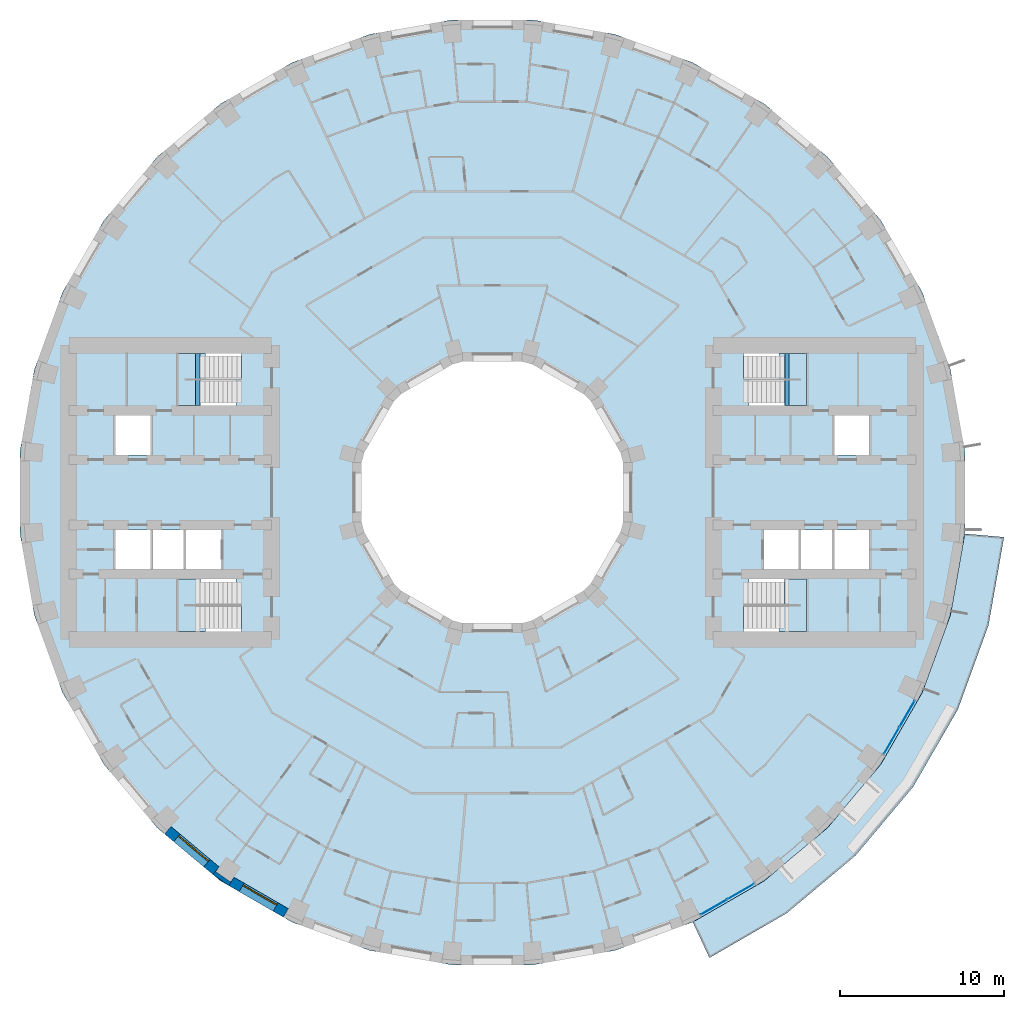
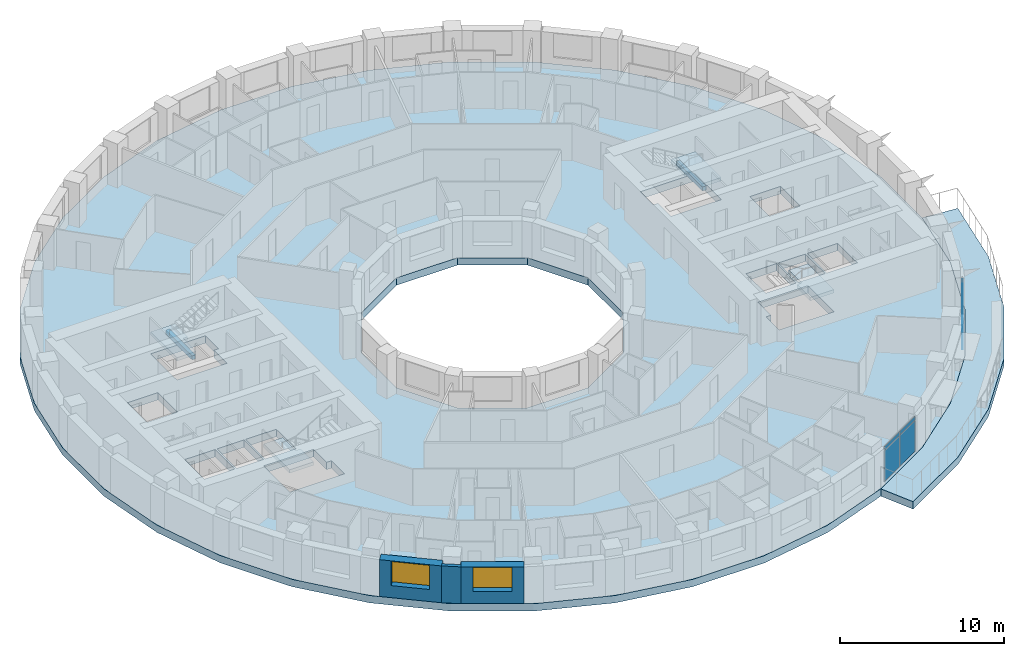
# One storey, part 3 of 15: 8 plates, 6 slabs, 3 walls, 2 beams, 2 windows, 2 openings, 6 elements without a shape of their own.
"""IFC4 building model written with IfcOpenShell, lengths in metres."""

from ifc_helpers import new_model, si_unit, direction, frame, frame_2d, origin, origin_2d, place, context, subcontext, project, spatial, polyline, rectangle, outline, extrude, material, layer, layer_set, material_profile, profile_set, type_object, element, fill, aggregate, save


model = new_model("IFC4")

# Units and contexts
model_context = context("Model", 3, precision=1e-05, world=origin(), true_north=direction((0.0, 1.0)))
body_context = subcontext(model_context, "Body", "Model", "MODEL_VIEW")
ifc_project = project(units=[si_unit("LENGTHUNIT", "METRE"), si_unit("AREAUNIT", "SQUARE_METRE"), si_unit("VOLUMEUNIT", "CUBIC_METRE"), si_unit("PLANEANGLEUNIT", "RADIAN"), si_unit("MASSUNIT", "GRAM", prefix="KILO")], contexts=[model_context])

# Site, building, storey
site_placement = place(None, origin())
site = spatial("IfcSite", under=ifc_project, at=site_placement, CompositionType="ELEMENT")
building_placement = place(site_placement, origin())
building = spatial("IfcBuilding", under=site, at=building_placement, Name="Saqina Gate Tower", CompositionType="ELEMENT")
storey_placement = place(building_placement, frame((0.0, 0.0, 42.800048828125)))
storey = spatial("IfcBuildingStorey", under=building, at=storey_placement, Name="L11", CompositionType="ELEMENT", Elevation=42.800048828125)

# Beams
ifc_material_1 = material(Name="Concrete C40/50", Category="concrete")
ifc_material_profile = material_profile(ifc_material_1, rectangle(XDim=0.25, YDim=0.300048828125, at=origin_2d()), Name="STAIR LANDING BEAM")
ifc_profile_set = profile_set([ifc_material_profile], Name="Concrete C40/50")
beam_type = type_object("IfcBeamType", Name="STAIR LANDING BEAM", PredefinedType="BEAM", material=ifc_profile_set)
for number, where, z_axis, x_axis, name in (
    (1, (18.02001953125, 5.300048828125, 1.25), (0.0, 1.0, 0.0), (-1.0, 0.0, 0.0), "EXIT STAIR 1 LANDING BEAM"),
    (2, (-18.02001953125, 5.300048828125, 1.25), (0.0, 1.0, 0.0), (-1.0, 0.0, 0.0), "EXIT STAIR 3 LANDING BEAM"),
):
    element("IfcBeam", number, at=place(storey_placement, frame(where, z_axis=z_axis, x_axis=x_axis)), inside=storey, type_object=beam_type, Name=name, PredefinedType="BEAM", context=body_context, shape_type="SweptSolid", body=[
        extrude(rectangle(XDim=0.25, YDim=0.300048828125, at=origin_2d()), origin(), (0.0, 0.0, 1.0), 3.199951171875),
    ])

# Curtain wall, plates
ifc_material_2 = material(Name="Aluminium glazing", Category="aluminium")
ifc_layer_1 = layer(ifc_material_2, 0.159912109375)
ifc_layer_set_1 = layer_set([ifc_layer_1], Name="CWT-4")
curtain_wall_type = type_object("IfcCurtainWallType", Name="CWT-4", PredefinedType="NOTDEFINED", material=ifc_layer_set_1)
curtain_wall_1_placement = place(storey_placement, origin())
curtain_wall_1 = element("IfcCurtainWall", 3, at=curtain_wall_1_placement, inside=storey, type_object=curtain_wall_type, Name="Terrace lounge glazing facet 30", PredefinedType="NOTDEFINED")
ifc_material_3 = material(Name="Glass", Category="glass")
ifc_layer_2 = layer(ifc_material_3, 0.028076171875)
ifc_layer_set_2 = layer_set([ifc_layer_2], Name="CWT-4P")
plate_type = type_object("IfcPlateType", Name="CWT-4P", PredefinedType="CURTAIN_PANEL", material=ifc_layer_set_2)
plate_1_placement = place(storey_placement, frame((13.550048828125, -25.362548828125, 0.059814453125), z_axis=(0.0, 0.0, 1.0), x_axis=(0.866027971624, 0.499995552346, 0.0)))
plate_1 = element("IfcPlate", 4, at=plate_1_placement, type_object=plate_type, Name="CW4-30 panel 1.1", PredefinedType="CURTAIN_PANEL", context=body_context, shape_type="SweptSolid", body=[
    extrude(rectangle(XDim=1.8330078125, YDim=0.028076171875, at=origin_2d()), origin(), (0.0, 0.0, 1.0), 2.31005859375),
])
plate_2_placement = place(storey_placement, frame((13.550048828125, -25.362548828125, 2.43017578125), z_axis=(0.0, 0.0, 1.0), x_axis=(0.866027971624, 0.499995552346, 0.0)))
plate_2 = element("IfcPlate", 5, at=plate_2_placement, type_object=plate_type, Name="CW4-30 panel 1.2", PredefinedType="CURTAIN_PANEL", context=body_context, shape_type="SweptSolid", body=[
    extrude(rectangle(XDim=1.8330078125, YDim=0.028076171875, at=origin_2d()), origin(), (0.0, 0.0, 1.0), 0.260009765625),
])
plate_3_placement = place(storey_placement, frame((15.189453125, -24.416015625, 0.059814453125), z_axis=(0.0, 0.0, 1.0), x_axis=(0.866027971624, 0.499995552346, 0.0)))
plate_3 = element("IfcPlate", 6, at=plate_3_placement, type_object=plate_type, Name="CW4-30 panel 2.1", PredefinedType="CURTAIN_PANEL", context=body_context, shape_type="SweptSolid", body=[
    extrude(rectangle(XDim=1.8330078125, YDim=0.028076171875, at=origin_2d()), origin(), (0.0, 0.0, 1.0), 2.31005859375),
])
plate_4_placement = place(storey_placement, frame((15.189453125, -24.416015625, 2.43017578125), z_axis=(0.0, 0.0, 1.0), x_axis=(0.866027971624, 0.499995552346, 0.0)))
plate_4 = element("IfcPlate", 7, at=plate_4_placement, type_object=plate_type, Name="CW4-30 panel 2.2", PredefinedType="CURTAIN_PANEL", context=body_context, shape_type="SweptSolid", body=[
    extrude(rectangle(XDim=1.8330078125, YDim=0.028076171875, at=origin_2d()), origin(), (0.0, 0.0, 1.0), 0.260009765625),
])
aggregate(curtain_wall_1, [plate_1, plate_2, plate_3, plate_4])

curtain_wall_2_placement = place(storey_placement, origin())
curtain_wall_2 = element("IfcCurtainWall", 8, at=curtain_wall_2_placement, inside=storey, type_object=curtain_wall_type, Name="Terrace lounge glazing facet 33", PredefinedType="NOTDEFINED")
plate_5_placement = place(storey_placement, frame((24.416015625, -15.189453125, 0.059814453125), z_axis=(0.0, 0.0, 1.0), x_axis=(0.499995552346, 0.866027971624, 0.0)))
plate_5 = element("IfcPlate", 9, at=plate_5_placement, type_object=plate_type, Name="CW4-33 panel 1.1", PredefinedType="CURTAIN_PANEL", context=body_context, shape_type="SweptSolid", body=[
    extrude(rectangle(XDim=1.8330078125, YDim=0.028076171875, at=origin_2d()), origin(), (0.0, 0.0, 1.0), 2.31005859375),
])
plate_6_placement = place(storey_placement, frame((24.416015625, -15.189453125, 2.43017578125), z_axis=(0.0, 0.0, 1.0), x_axis=(0.499995552346, 0.866027971624, 0.0)))
plate_6 = element("IfcPlate", 10, at=plate_6_placement, type_object=plate_type, Name="CW4-33 panel 1.2", PredefinedType="CURTAIN_PANEL", context=body_context, shape_type="SweptSolid", body=[
    extrude(rectangle(XDim=1.8330078125, YDim=0.028076171875, at=origin_2d()), origin(), (0.0, 0.0, 1.0), 0.260009765625),
])
plate_7_placement = place(storey_placement, frame((25.362548828125, -13.550048828125, 0.059814453125), z_axis=(0.0, 0.0, 1.0), x_axis=(0.499995552346, 0.866027971624, 0.0)))
plate_7 = element("IfcPlate", 11, at=plate_7_placement, type_object=plate_type, Name="CW4-33 panel 2.1", PredefinedType="CURTAIN_PANEL", context=body_context, shape_type="SweptSolid", body=[
    extrude(rectangle(XDim=1.8330078125, YDim=0.028076171875, at=origin_2d()), origin(), (0.0, 0.0, 1.0), 2.31005859375),
])
plate_8_placement = place(storey_placement, frame((25.362548828125, -13.550048828125, 2.43017578125), z_axis=(0.0, 0.0, 1.0), x_axis=(0.499995552346, 0.866027971624, 0.0)))
plate_8 = element("IfcPlate", 12, at=plate_8_placement, type_object=plate_type, Name="CW4-33 panel 2.2", PredefinedType="CURTAIN_PANEL", context=body_context, shape_type="SweptSolid", body=[
    extrude(rectangle(XDim=1.8330078125, YDim=0.028076171875, at=origin_2d()), origin(), (0.0, 0.0, 1.0), 0.260009765625),
])
aggregate(curtain_wall_2, [plate_5, plate_6, plate_7, plate_8])

# Stair, slab
ifc_material_4 = material(Name="Concrete C40/50", Category="concrete")
stair_type = type_object("IfcStairType", Name="EXIT STAIR", PredefinedType="HALF_TURN_STAIR", material=ifc_material_4)
stair_1_placement = place(storey_placement, origin())
stair_1 = element("IfcStair", 13, at=stair_1_placement, inside=storey, type_object=stair_type, Name="EXIT STAIR 1", PredefinedType="HALF_TURN_STAIR")
ifc_material_5 = material(Name="Concrete C40/50", Category="concrete")
ifc_layer_3 = layer(ifc_material_5, 0.25)
ifc_layer_set_3 = layer_set([ifc_layer_3], Name="Concrete C40/50")
slab_type_1 = type_object("IfcSlabType", Name="EXIT STAIR LANDING", PredefinedType="LANDING", material=ifc_layer_set_3)
slab_1_placement = place(storey_placement, frame((0.0, 0.0, 1.39990234375)))
slab_1 = element("IfcSlab", 14, at=slab_1_placement, type_object=slab_type_1, Name="EXIT STAIR 1 LANDING 1", PredefinedType="LANDING", context=body_context, shape_type="SweptSolid", body=[
    extrude(outline(polyline([(19.219970703125, 8.5), (19.219970703125, 5.300048828125), (17.864990234375, 5.300048828125), (17.864990234375, 6.89990234375), (17.534423828125, 6.89990234375), (17.534423828125, 8.5), (17.864990234375, 8.5), (17.8701171875, 8.5), (19.219970703125, 8.5)])), origin(), (0.0, 0.0, 1.0), 0.25),
])
aggregate(stair_1, [slab_1])

stair_2_placement = place(storey_placement, origin())
stair_2 = element("IfcStair", 15, at=stair_2_placement, inside=storey, type_object=stair_type, Name="EXIT STAIR 2", PredefinedType="HALF_TURN_STAIR")
slab_2_placement = place(storey_placement, frame((0.0, 0.0, 1.39990234375)))
slab_2 = element("IfcSlab", 16, at=slab_2_placement, type_object=slab_type_1, Name="EXIT STAIR 2 LANDING 1", PredefinedType="LANDING", context=body_context, shape_type="SweptSolid", body=[
    extrude(outline(polyline([(17.534423828125, -8.5), (17.534423828125, -6.89990234375), (17.864990234375, -6.89990234375), (17.864990234375, -5.300048828125), (19.219970703125, -5.300048828125), (19.219970703125, -8.5), (17.8701171875, -8.5), (17.864990234375, -8.5), (17.534423828125, -8.5)])), origin(), (0.0, 0.0, 1.0), 0.25),
])
aggregate(stair_2, [slab_2])

stair_3_placement = place(storey_placement, origin())
stair_3 = element("IfcStair", 17, at=stair_3_placement, inside=storey, type_object=stair_type, Name="EXIT STAIR 3", PredefinedType="HALF_TURN_STAIR")
slab_3_placement = place(storey_placement, frame((0.0, 0.0, 1.39990234375)))
slab_3 = element("IfcSlab", 18, at=slab_3_placement, type_object=slab_type_1, Name="EXIT STAIR 3 LANDING 1", PredefinedType="LANDING", context=body_context, shape_type="SweptSolid", body=[
    extrude(outline(polyline([(-17.864990234375, 5.300048828125), (-19.219970703125, 5.300048828125), (-19.219970703125, 8.5), (-17.8701171875, 8.5), (-17.864990234375, 8.5), (-17.534423828125, 8.5), (-17.534423828125, 6.89990234375), (-17.864990234375, 6.89990234375), (-17.864990234375, 5.300048828125)])), origin(), (0.0, 0.0, 1.0), 0.25),
])
aggregate(stair_3, [slab_3])

stair_4_placement = place(storey_placement, origin())
stair_4 = element("IfcStair", 19, at=stair_4_placement, inside=storey, type_object=stair_type, Name="EXIT STAIR 4", PredefinedType="HALF_TURN_STAIR")
slab_4_placement = place(storey_placement, frame((0.0, 0.0, 1.39990234375)))
slab_4 = element("IfcSlab", 20, at=slab_4_placement, type_object=slab_type_1, Name="EXIT STAIR 4 LANDING 1", PredefinedType="LANDING", context=body_context, shape_type="SweptSolid", body=[
    extrude(outline(polyline([(-17.534423828125, -6.89990234375), (-17.534423828125, -8.5), (-17.864990234375, -8.5), (-17.8701171875, -8.5), (-19.219970703125, -8.5), (-19.219970703125, -5.300048828125), (-17.864990234375, -5.300048828125), (-17.864990234375, -6.89990234375), (-17.534423828125, -6.89990234375)])), origin(), (0.0, 0.0, 1.0), 0.25),
])
aggregate(stair_4, [slab_4])

# Slabs
ifc_material_6 = material(Name="Concrete C40/50", Category="concrete")
ifc_layer_4 = layer(ifc_material_6, 0.550048828125)
ifc_layer_set_4 = layer_set([ifc_layer_4], Name="Concrete C40/50")
slab_type_2 = type_object("IfcSlabType", Name="STR-POST-TENSIONED FLAT PLATE FLOOR-550", PredefinedType="FLOOR", material=ifc_layer_set_4)
slab_5_placement = place(storey_placement, frame((0.0, 0.0, -0.550048828125)))
element("IfcSlab", 21, at=slab_5_placement, inside=storey, type_object=slab_type_2, Name="L11-SLB01", PredefinedType="FLOOR", context=body_context, shape_type="SweptSolid", body=[
    extrude(outline(polyline([(28.011962890625, -7.505859375), (28.8896484375, -2.527587890625), (28.8896484375, 2.527587890625), (28.011962890625, 7.505859375), (26.282958984375, 12.255859375), (23.75537109375, 16.6337890625), (20.506103515625, 20.506103515625), (16.6337890625, 23.75537109375), (12.255859375, 26.282958984375), (7.505859375, 28.011962890625), (2.527587890625, 28.8896484375), (-2.527587890625, 28.8896484375), (-7.505859375, 28.011962890625), (-12.255859375, 26.282958984375), (-16.6337890625, 23.75537109375), (-20.506103515625, 20.506103515625), (-23.75537109375, 16.6337890625), (-26.282958984375, 12.255859375), (-28.011962890625, 7.505859375), (-28.8896484375, 2.527587890625), (-28.8896484375, -2.527587890625), (-28.011962890625, -7.505859375), (-26.282958984375, -12.255859375), (-23.75537109375, -16.6337890625), (-20.506103515625, -20.506103515625), (-16.6337890625, -23.75537109375), (-12.255859375, -26.282958984375), (-7.505859375, -28.011962890625), (-2.527587890625, -28.8896484375), (2.527587890625, -28.8896484375), (7.505859375, -28.011962890625), (12.255859375, -26.282958984375), (16.6337890625, -23.75537109375), (20.506103515625, -20.506103515625), (23.75537109375, -16.6337890625), (26.282958984375, -12.255859375), (28.011962890625, -7.505859375)]), holes=[polyline([(2.1435546875, 8.0), (5.8564453125, 5.8564453125), (8.0, 2.1435546875), (8.0, -2.1435546875), (5.8564453125, -5.8564453125), (2.1435546875, -8.0), (-2.1435546875, -8.0), (-5.8564453125, -5.8564453125), (-8.0, -2.1435546875), (-8.0, 2.1435546875), (-5.8564453125, 5.8564453125), (-2.1435546875, 8.0), (2.1435546875, 8.0)]), polyline([(-19.219970703125, -8.5), (-19.219970703125, -6.89990234375), (-19.219970703125, -5.300048828125), (-15.685546875, -5.300048828125), (-15.685546875, -6.89990234375), (-15.35498046875, -6.89990234375), (-15.35498046875, -8.5), (-19.219970703125, -8.5)]), polyline([(-20.89990234375, -2.300048828125), (-20.89990234375, -4.699951171875), (-23.06005859375, -4.699951171875), (-23.06005859375, -2.300048828125), (-20.89990234375, -2.300048828125)]), polyline([(-18.8701171875, -2.300048828125), (-18.8701171875, -4.699951171875), (-20.780029296875, -4.699951171875), (-20.780029296875, -2.300048828125), (-18.8701171875, -2.300048828125)]), polyline([(-16.590087890625, -2.300048828125), (-16.590087890625, -4.699951171875), (-18.75, -4.699951171875), (-18.75, -2.300048828125), (-16.590087890625, -2.300048828125)]), polyline([(-20.89990234375, 4.699951171875), (-20.89990234375, 2.300048828125), (-23.06005859375, 2.300048828125), (-23.06005859375, 4.699951171875), (-20.89990234375, 4.699951171875)]), polyline([(-19.219970703125, 6.89990234375), (-19.219970703125, 8.5), (-15.35498046875, 8.5), (-15.35498046875, 6.89990234375), (-15.685546875, 6.89990234375), (-15.685546875, 5.300048828125), (-19.219970703125, 5.300048828125), (-19.219970703125, 6.89990234375)]), polyline([(15.35498046875, -6.89990234375), (15.685546875, -6.89990234375), (15.685546875, -5.300048828125), (19.219970703125, -5.300048828125), (19.219970703125, -6.89990234375), (19.219970703125, -8.5), (15.35498046875, -8.5), (15.35498046875, -6.89990234375)]), polyline([(18.75, -2.300048828125), (18.75, -4.699951171875), (16.590087890625, -4.699951171875), (16.590087890625, -2.300048828125), (18.75, -2.300048828125)]), polyline([(20.780029296875, -2.300048828125), (20.780029296875, -4.699951171875), (18.8701171875, -4.699951171875), (18.8701171875, -2.300048828125), (20.780029296875, -2.300048828125)]), polyline([(23.06005859375, -2.300048828125), (23.06005859375, -4.699951171875), (20.89990234375, -4.699951171875), (20.89990234375, -2.300048828125), (23.06005859375, -2.300048828125)]), polyline([(23.06005859375, 4.699951171875), (23.06005859375, 2.300048828125), (20.89990234375, 2.300048828125), (20.89990234375, 4.699951171875), (23.06005859375, 4.699951171875)]), polyline([(15.685546875, 6.89990234375), (15.35498046875, 6.89990234375), (15.35498046875, 8.5), (19.219970703125, 8.5), (19.219970703125, 6.89990234375), (19.219970703125, 5.300048828125), (15.685546875, 5.300048828125), (15.685546875, 6.89990234375)])]), origin(), (0.0, 0.0, 1.0), 0.550048828125),
])
ifc_material_7 = material(Name="Concrete C40/50", Category="concrete")
ifc_layer_5 = layer(ifc_material_7, 0.550048828125)
ifc_layer_set_5 = layer_set([ifc_layer_5], Name="Concrete C40/50")
slab_type_3 = type_object("IfcSlabType", Name="STR-POST-TENSIONED FLAT PLATE TERRACE-550", PredefinedType="FLOOR", material=ifc_layer_set_5)
slab_6_placement = place(storey_placement, frame((0.0, 0.0, -0.550048828125)))
element("IfcSlab", 22, at=slab_6_placement, inside=storey, type_object=slab_type_3, Name="L11-TRS01", PredefinedType="FLOOR", context=body_context, shape_type="SweptSolid", body=[
    extrude(outline(polyline([(12.255859375, -26.282958984375), (16.6337890625, -23.75537109375), (20.506103515625, -20.506103515625), (23.75537109375, -16.6337890625), (26.282958984375, -12.255859375), (28.011962890625, -7.505859375), (28.8896484375, -2.527587890625), (31.28955078125, -2.737548828125), (30.3388671875, -8.12939453125), (28.46630859375, -13.274169921875), (25.72900390625, -18.015625), (22.209716796875, -22.209716796875), (18.015625, -25.72900390625), (13.274169921875, -28.46630859375), (12.255859375, -26.282958984375)])), origin(), (0.0, 0.0, 1.0), 0.550048828125),
])

# Wall
ifc_material_8 = material(Name="Brick masonry (red)", Category="masonry")
wall_type_1 = type_object("IfcWallType", Name="BRICK PIER COPING RED", PredefinedType="SOLIDWALL", material=ifc_material_8)
wall_1_placement = place(storey_placement, origin())
element("IfcWall", 23, at=wall_1_placement, inside=storey, type_object=wall_type_1, Name="Pier cap L11 column 24", PredefinedType="SOLIDWALL", context=body_context, shape_type="SweptSolid", body=[
    extrude(outline(polyline([(-17.096923828125, -23.36669921875), (-16.110107421875, -24.0576171875), (-15.81005859375, -23.5380859375), (-16.010986328125, -23.8251953125), (-16.912109375, -23.194091796875), (-16.711181640625, -22.9072265625), (-17.096923828125, -23.36669921875)])), origin(), (0.0, 0.0, 1.0), 2.75),
])

# Wall, opening, window
ifc_material_9 = material(Name="Brick masonry (red)", Category="masonry")
ifc_layer_6 = layer(ifc_material_9, 0.60009765625)
ifc_layer_set_6 = layer_set([ifc_layer_6], Name="FW-BRICK-RED")
wall_type_2 = type_object("IfcWallType", Name="FW-BRICK-RED", PredefinedType="SOLIDWALL", material=ifc_layer_set_6)
wall_2_placement = place(storey_placement, frame((-19.85009765625, -20.664794921875, 0.0), z_axis=(0.0, 0.0, 1.0), x_axis=(0.766026164483, -0.642809392687, 0.0)))
wall_2 = element("IfcWall", 24, at=wall_2_placement, inside=storey, type_object=wall_type_2, Name="Facade wall L11 facet 23", PredefinedType="SOLIDWALL", context=body_context, shape_type="SweptSolid", body=[
    extrude(rectangle(XDim=3.845947265625, YDim=0.60009765625, at=frame_2d((1.9228515625, 0.0))), origin(), (0.0, 0.0, 1.0), 2.75),
])
opening_1_placement = place(wall_2_placement, frame((0.722900390625, 0.0, 0.89990234375)))
opening_1 = element("IfcOpeningElement", 25, at=opening_1_placement, cuts=wall_2, Name="Opening G02-W16", PredefinedType="OPENING", context=body_context, shape_type="SweptSolid", body=[
    extrude(rectangle(XDim=2.39990234375, YDim=1.800048828125, at=frame_2d((1.199951171875, 0.89990234375))), frame((0.0, 0.31201171875, 0.0), z_axis=(0.0, -1.0, 0.0), x_axis=(1.0, 0.0, 0.0)), (0.0, 0.0, 1.0), 0.6240234375),
])
ifc_material_10 = material(Name="Aluminium glazing", Category="aluminium")
window_type = type_object("IfcWindowType", Name="WN-A", PartitioningType="SINGLE_PANEL", PredefinedType="WINDOW", material=ifc_material_10)
window_1_placement = place(opening_1_placement, origin())
window_1 = element("IfcWindow", 26, at=window_1_placement, inside=storey, type_object=window_type, Name="Window L11 facet 23", OverallHeight=1.800048828125, OverallWidth=2.39990234375, PartitioningType="SINGLE_PANEL", PredefinedType="WINDOW", context=body_context, shape_type="SweptSolid", body=[
    extrude(rectangle(XDim=2.39990234375, YDim=1.800048828125, at=frame_2d((1.199951171875, 0.89990234375))), frame((0.0, 0.179931640625, 0.0), z_axis=(0.0, -1.0, 0.0), x_axis=(1.0, 0.0, 0.0)), (0.0, 0.0, 1.0), 0.06005859375),
])
fill(opening_1, window_1)

wall_3_placement = place(storey_placement, frame((-15.960205078125, -23.7978515625, 0.0), z_axis=(0.0, 0.0, 1.0), x_axis=(0.86603124159, -0.499989888488, 0.0)))
wall_3 = element("IfcWall", 27, at=wall_3_placement, inside=storey, type_object=wall_type_2, Name="Facade wall L11 facet 24", PredefinedType="SOLIDWALL", context=body_context, shape_type="SweptSolid", body=[
    extrude(rectangle(XDim=3.845703125, YDim=0.60009765625, at=frame_2d((1.9228515625, 0.0))), origin(), (0.0, 0.0, 1.0), 2.75),
])
opening_2_placement = place(wall_3_placement, frame((0.722900390625, 0.0, 0.89990234375)))
opening_2 = element("IfcOpeningElement", 28, at=opening_2_placement, cuts=wall_3, Name="Opening G02-W17", PredefinedType="OPENING", context=body_context, shape_type="SweptSolid", body=[
    extrude(rectangle(XDim=2.39990234375, YDim=1.800048828125, at=frame_2d((1.199951171875, 0.89990234375))), frame((0.0, 0.31201171875, 0.0), z_axis=(0.0, -1.0, 0.0), x_axis=(1.0, 0.0, 0.0)), (0.0, 0.0, 1.0), 0.6240234375),
])
window_2_placement = place(opening_2_placement, origin())
window_2 = element("IfcWindow", 29, at=window_2_placement, inside=storey, type_object=window_type, Name="Window L11 facet 24", OverallHeight=1.800048828125, OverallWidth=2.39990234375, PartitioningType="SINGLE_PANEL", PredefinedType="WINDOW", context=body_context, shape_type="SweptSolid", body=[
    extrude(rectangle(XDim=2.39990234375, YDim=1.800048828125, at=frame_2d((1.199951171875, 0.89990234375))), frame((0.0, 0.179931640625, 0.0), z_axis=(0.0, -1.0, 0.0), x_axis=(1.0, 0.0, 0.0)), (0.0, 0.0, 1.0), 0.06005859375),
])
fill(opening_2, window_2)

save(model, "model.ifc")
